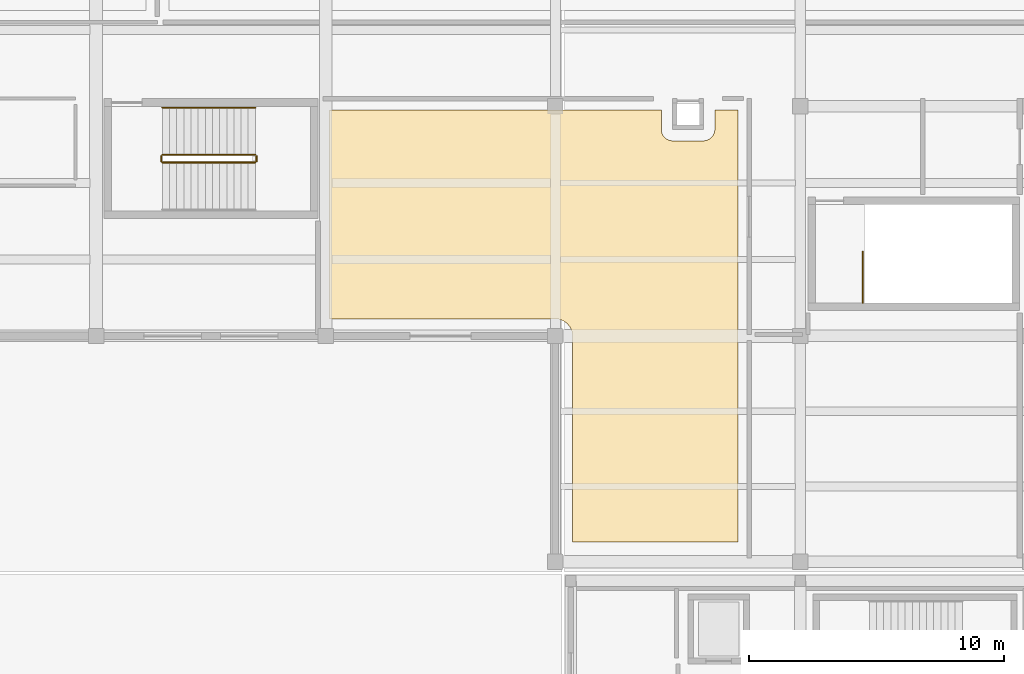
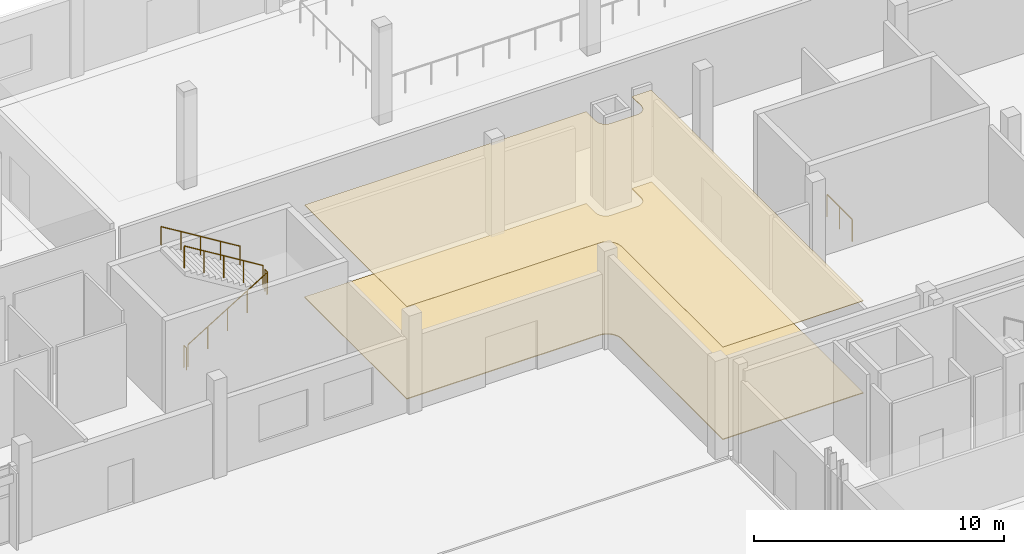
# One storey, part 145 of 151: 6 railings, 2 coverings.
"""IFC4 building model written with IfcOpenShell, lengths in metres."""

from ifc_helpers import new_model, si_unit, direction, frame, origin, origin_2d, place, context, subcontext, project, spatial, polyline, circle, outline, extrude, material, layer, layer_set, type_object, element, save


model = new_model("IFC4")

# Units and contexts
model_context = context("Model", 3, precision=1e-05, world=origin(), true_north=direction((0.0, 1.0)))
body_context = subcontext(model_context, "Body", "Model", "MODEL_VIEW")
ifc_project = project(units=[si_unit("LENGTHUNIT", "METRE"), si_unit("AREAUNIT", "SQUARE_METRE"), si_unit("VOLUMEUNIT", "CUBIC_METRE"), si_unit("PLANEANGLEUNIT", "RADIAN"), si_unit("MASSUNIT", "GRAM", prefix="KILO")], contexts=[model_context])

# Site, building, storey
site_placement = place(None, origin())
site = spatial("IfcSite", under=ifc_project, at=site_placement, CompositionType="ELEMENT")
building_placement = place(site_placement, origin())
building = spatial("IfcBuilding", under=site, at=building_placement, Name="Chiffa Square Polytechnic", CompositionType="ELEMENT")
storey_placement = place(building_placement, origin())
storey = spatial("IfcBuildingStorey", under=building, at=storey_placement, Name="L00", CompositionType="ELEMENT", Elevation=0.0)

# Coverings
ifc_material_1 = material(Name="Perforated gypsum acoustic board")
ifc_layer_1 = layer(ifc_material_1, 0.02490234375, Name="Perforated gypsum acoustic board")
ifc_layer_set_1 = layer_set([ifc_layer_1], Name="Perforated gypsum acoustic board")
covering_type_1 = type_object("IfcCoveringType", Name="COV-CEIL-GYP", PredefinedType="CEILING", material=ifc_layer_set_1)
covering_1_placement = place(storey_placement, frame((0.0, 0.0, 4.4970703125)))
element("IfcCovering", 1, at=covering_1_placement, inside=storey, type_object=covering_type_1, Name="Suspended acoustic ceiling CL-V5-L00-017", PredefinedType="CEILING", context=body_context, shape_type="SweptSolid", body=[
    extrude(outline(polyline([(102.75, 112.64990234375), (115.75, 112.64990234375), (115.75, 111.89990234375), (115.751953125, 111.85595703125), (115.759033203125, 111.81201171875), (115.76904296875, 111.76904296875), (115.783935546875, 111.72802734375), (115.802978515625, 111.68798828125), (115.825927734375, 111.64990234375), (115.85205078125, 111.614990234375), (115.882080078125, 111.58203125), (115.9150390625, 111.552001953125), (115.949951171875, 111.52587890625), (115.988037109375, 111.5029296875), (116.028076171875, 111.48388671875), (116.069091796875, 111.468994140625), (116.112060546875, 111.458984375), (116.156005859375, 111.451904296875), (116.199951171875, 111.449951171875), (117.39990234375, 111.449951171875), (117.444091796875, 111.451904296875), (117.488037109375, 111.458984375), (117.531005859375, 111.468994140625), (117.572021484375, 111.48388671875), (117.612060546875, 111.5029296875), (117.64990234375, 111.52587890625), (117.68505859375, 111.552001953125), (117.718017578125, 111.58203125), (117.748046875, 111.614990234375), (117.77392578125, 111.64990234375), (117.797119140625, 111.68798828125), (117.81591796875, 111.72802734375), (117.8310546875, 111.76904296875), (117.841064453125, 111.81201171875), (117.847900390625, 111.85595703125), (117.85009765625, 111.89990234375), (117.85009765625, 112.64990234375), (118.75, 112.64990234375), (118.75, 95.719970703125), (112.27001953125, 95.719970703125), (112.27001953125, 103.800048828125), (112.26904296875, 103.822021484375), (112.26806640625, 103.843994140625), (112.263916015625, 103.887939453125), (112.260986328125, 103.908935546875), (112.251953125, 103.951904296875), (112.2470703125, 103.972900390625), (112.23388671875, 104.014892578125), (112.22705078125, 104.035888671875), (112.2099609375, 104.076904296875), (112.200927734375, 104.095947265625), (112.179931640625, 104.135009765625), (112.1689453125, 104.154052734375), (112.14404296875, 104.18994140625), (112.132080078125, 104.2080078125), (112.10302734375, 104.241943359375), (112.089111328125, 104.258056640625), (112.05810546875, 104.2890625), (112.0419921875, 104.302978515625), (112.008056640625, 104.33203125), (111.989990234375, 104.343994140625), (111.9541015625, 104.368896484375), (111.93505859375, 104.3798828125), (111.89599609375, 104.40087890625), (111.876953125, 104.409912109375), (111.8359375, 104.427001953125), (111.81494140625, 104.43408203125), (111.77294921875, 104.447021484375), (111.751953125, 104.451904296875), (111.708984375, 104.4609375), (111.68798828125, 104.464111328125), (111.64404296875, 104.468017578125), (111.6220703125, 104.468994140625), (111.60009765625, 104.469970703125), (102.75, 104.469970703125), (102.75, 112.64990234375)])), origin(), (0.0, 0.0, 1.0), 0.02490234375),
])
ifc_material_2 = material(Name="Polished cementitious terrazzo")
ifc_layer_2 = layer(ifc_material_2, 0.0400390625, Name="Polished cementitious terrazzo")
ifc_layer_set_2 = layer_set([ifc_layer_2], Name="Polished cementitious terrazzo")
covering_type_2 = type_object("IfcCoveringType", Name="COV-FLR-TERRAZZO", PredefinedType="FLOORING", material=ifc_layer_set_2)
covering_2_placement = place(storey_placement, origin())
element("IfcCovering", 2, at=covering_2_placement, inside=storey, type_object=covering_type_2, Name="Polished terrazzo floor finish FL-V5-L00-016", PredefinedType="FLOORING", context=body_context, shape_type="SweptSolid", body=[
    extrude(outline(polyline([(102.75, 112.64990234375), (115.75, 112.64990234375), (115.75, 111.89990234375), (115.751953125, 111.85595703125), (115.759033203125, 111.81201171875), (115.76904296875, 111.76904296875), (115.783935546875, 111.72802734375), (115.802978515625, 111.68798828125), (115.825927734375, 111.64990234375), (115.85205078125, 111.614990234375), (115.882080078125, 111.58203125), (115.9150390625, 111.552001953125), (115.949951171875, 111.52587890625), (115.988037109375, 111.5029296875), (116.028076171875, 111.48388671875), (116.069091796875, 111.468994140625), (116.112060546875, 111.458984375), (116.156005859375, 111.451904296875), (116.199951171875, 111.449951171875), (117.39990234375, 111.449951171875), (117.444091796875, 111.451904296875), (117.488037109375, 111.458984375), (117.531005859375, 111.468994140625), (117.572021484375, 111.48388671875), (117.612060546875, 111.5029296875), (117.64990234375, 111.52587890625), (117.68505859375, 111.552001953125), (117.718017578125, 111.58203125), (117.748046875, 111.614990234375), (117.77392578125, 111.64990234375), (117.797119140625, 111.68798828125), (117.81591796875, 111.72802734375), (117.8310546875, 111.76904296875), (117.841064453125, 111.81201171875), (117.847900390625, 111.85595703125), (117.85009765625, 111.89990234375), (117.85009765625, 112.64990234375), (118.75, 112.64990234375), (118.75, 95.719970703125), (112.27001953125, 95.719970703125), (112.27001953125, 103.800048828125), (112.26904296875, 103.822021484375), (112.26806640625, 103.843994140625), (112.263916015625, 103.887939453125), (112.260986328125, 103.908935546875), (112.251953125, 103.951904296875), (112.2470703125, 103.972900390625), (112.23388671875, 104.014892578125), (112.22705078125, 104.035888671875), (112.2099609375, 104.076904296875), (112.200927734375, 104.095947265625), (112.179931640625, 104.135009765625), (112.1689453125, 104.154052734375), (112.14404296875, 104.18994140625), (112.132080078125, 104.2080078125), (112.10302734375, 104.241943359375), (112.089111328125, 104.258056640625), (112.05810546875, 104.2890625), (112.0419921875, 104.302978515625), (112.008056640625, 104.33203125), (111.989990234375, 104.343994140625), (111.9541015625, 104.368896484375), (111.93505859375, 104.3798828125), (111.89599609375, 104.40087890625), (111.876953125, 104.409912109375), (111.8359375, 104.427001953125), (111.81494140625, 104.43408203125), (111.77294921875, 104.447021484375), (111.751953125, 104.451904296875), (111.708984375, 104.4609375), (111.68798828125, 104.464111328125), (111.64404296875, 104.468017578125), (111.6220703125, 104.468994140625), (111.60009765625, 104.469970703125), (102.75, 104.469970703125), (102.75, 112.64990234375)])), origin(), (0.0, 0.0, 1.0), 0.0400390625),
])

# Railings
ifc_material_3 = material(Name="Steel S355", Category="steel")
ifc_layer_3 = layer(ifc_material_3, 0.050048828125, Name="Steel S355")
ifc_layer_set_3 = layer_set([ifc_layer_3], Name="Steel S355")
railing_type_1 = type_object("IfcRailingType", Name="RL-STAIR-GUARD", PredefinedType="GUARDRAIL", material=ifc_layer_set_3)
railing_1_placement = place(storey_placement, frame((96.199951171875, 110.60009765625, 0.17138671875)))
element("IfcRailing", 3, at=railing_1_placement, inside=storey, type_object=railing_type_1, Name="L00 ST-V5B stair guard 1", PredefinedType="GUARDRAIL", context=body_context, shape_type="SweptSolid", body=[
    extrude(circle(Radius=0.02392578125, at=origin_2d()), frame((0.0, 0.0, 1.076171875), z_axis=(0.852865859571, 0.0, 0.52213008492), x_axis=(0.0, 1.0, 0.0)), (0.0, 0.0, 1.0), 4.26806640625),
    extrude(circle(Radius=0.02099609375, at=origin_2d()), origin(), (0.0, 0.0, 1.0), 1.052001953125),
    extrude(circle(Radius=0.02099609375, at=origin_2d()), frame((0.91015625, 0.0, 0.55712890625)), (0.0, 0.0, 1.0), 1.052001953125),
    extrude(circle(Radius=0.02099609375, at=origin_2d()), frame((1.820068359375, 0.0, 1.1142578125)), (0.0, 0.0, 1.0), 1.052001953125),
    extrude(circle(Radius=0.02099609375, at=origin_2d()), frame((2.72998046875, 0.0, 1.67138671875)), (0.0, 0.0, 1.0), 1.052001953125),
    extrude(circle(Radius=0.02099609375, at=origin_2d()), frame((3.64013671875, 0.0, 2.228515625)), (0.0, 0.0, 1.0), 1.052001953125),
])
railing_2_placement = place(storey_placement, frame((99.889892578125, 110.64990234375, 2.39990234375)))
element("IfcRailing", 4, at=railing_2_placement, inside=storey, type_object=railing_type_1, Name="L00 ST-V5B stair guard 2", PredefinedType="GUARDRAIL", context=body_context, shape_type="SweptSolid", body=[
    extrude(circle(Radius=0.02392578125, at=origin_2d()), frame((0.0, 0.0, 1.076171875), z_axis=(0.0, 1.0, 0.0), x_axis=(-1.0, 0.0, 0.0)), (0.0, 0.0, 1.0), 0.2001953125),
    extrude(circle(Radius=0.02099609375, at=origin_2d()), origin(), (0.0, 0.0, 1.0), 1.052001953125),
    extrude(circle(Radius=0.02099609375, at=origin_2d()), frame((0.0, 0.2001953125, 0.0)), (0.0, 0.0, 1.0), 1.052001953125),
])
railing_3_placement = place(storey_placement, frame((99.840087890625, 110.89990234375, 2.571533203125)))
element("IfcRailing", 5, at=railing_3_placement, inside=storey, type_object=railing_type_1, Name="L00 ST-V5B stair guard 3", PredefinedType="GUARDRAIL", context=body_context, shape_type="SweptSolid", body=[
    extrude(circle(Radius=0.02392578125, at=origin_2d()), frame((0.0, 0.0, 1.076171875), z_axis=(-0.852865859571, 0.0, 0.52213008492), x_axis=(0.0, -1.0, 0.0)), (0.0, 0.0, 1.0), 4.26806640625),
    extrude(circle(Radius=0.02099609375, at=origin_2d()), origin(), (0.0, 0.0, 1.0), 1.052001953125),
    extrude(circle(Radius=0.02099609375, at=origin_2d()), frame((-0.91015625, 0.0, 0.55712890625)), (0.0, 0.0, 1.0), 1.052001953125),
    extrude(circle(Radius=0.02099609375, at=origin_2d()), frame((-1.820068359375, 0.0, 1.1142578125)), (0.0, 0.0, 1.0), 1.052001953125),
    extrude(circle(Radius=0.02099609375, at=origin_2d()), frame((-2.72998046875, 0.0, 1.67138671875)), (0.0, 0.0, 1.0), 1.052001953125),
    extrude(circle(Radius=0.02099609375, at=origin_2d()), frame((-3.64013671875, 0.0, 2.228515625)), (0.0, 0.0, 1.0), 1.052001953125),
])
railing_4_placement = place(storey_placement, frame((96.14990234375, 110.64990234375, 0.0)))
element("IfcRailing", 6, at=railing_4_placement, inside=storey, type_object=railing_type_1, Name="L00 ST-V5B stair guard 4", PredefinedType="GUARDRAIL", context=body_context, shape_type="SweptSolid", body=[
    extrude(circle(Radius=0.02392578125, at=origin_2d()), frame((0.0, 0.0, 1.076171875), z_axis=(0.0, 1.0, 0.0), x_axis=(-1.0, 0.0, 0.0)), (0.0, 0.0, 1.0), 0.2001953125),
    extrude(circle(Radius=0.02099609375, at=origin_2d()), origin(), (0.0, 0.0, 1.0), 1.052001953125),
    extrude(circle(Radius=0.02099609375, at=origin_2d()), frame((0.0, 0.2001953125, 0.0)), (0.0, 0.0, 1.0), 1.052001953125),
])
railing_5_placement = place(storey_placement, frame((123.64990234375, 105.10009765625, 0.0)))
element("IfcRailing", 7, at=railing_5_placement, inside=storey, type_object=railing_type_1, Name="L00 ST-B1E top well guard 1", PredefinedType="GUARDRAIL", context=body_context, shape_type="SweptSolid", body=[
    extrude(circle(Radius=0.02392578125, at=origin_2d()), frame((0.0, 0.0, 1.076171875), z_axis=(0.0, 1.0, 0.0), x_axis=(-1.0, 0.0, 0.0)), (0.0, 0.0, 1.0), 2.0),
    extrude(circle(Radius=0.02099609375, at=origin_2d()), origin(), (0.0, 0.0, 1.0), 1.052001953125),
    extrude(circle(Radius=0.02099609375, at=origin_2d()), frame((0.0, 1.0, 0.0)), (0.0, 0.0, 1.0), 1.052001953125),
    extrude(circle(Radius=0.02099609375, at=origin_2d()), frame((0.0, 2.0, 0.0)), (0.0, 0.0, 1.0), 1.052001953125),
])
ifc_layer_4 = layer(ifc_material_3, 0.044921875, Name="Steel S355")
ifc_layer_set_4 = layer_set([ifc_layer_4], Name="Steel S355")
railing_type_2 = type_object("IfcRailingType", Name="RL-STAIR-HAND", PredefinedType="HANDRAIL", material=ifc_layer_set_4)
railing_6_placement = place(storey_placement, frame((99.840087890625, 112.75, 2.571533203125)))
element("IfcRailing", 8, at=railing_6_placement, inside=storey, type_object=railing_type_2, Name="L00 ST-V5B stair handrail 2", PredefinedType="HANDRAIL", context=body_context, shape_type="SweptSolid", body=[
    extrude(circle(Radius=0.02392578125, at=origin_2d()), frame((0.0, 0.0, 0.89599609375), z_axis=(-0.852865859571, 0.0, 0.52213008492), x_axis=(0.0, -1.0, 0.0)), (0.0, 0.0, 1.0), 4.26806640625),
    extrude(circle(Radius=0.02099609375, at=origin_2d()), origin(), (0.0, 0.0, 1.0), 0.871826171875),
    extrude(circle(Radius=0.02099609375, at=origin_2d()), frame((-0.91015625, 0.0, 0.55712890625)), (0.0, 0.0, 1.0), 0.871826171875),
    extrude(circle(Radius=0.02099609375, at=origin_2d()), frame((-1.820068359375, 0.0, 1.1142578125)), (0.0, 0.0, 1.0), 0.871826171875),
    extrude(circle(Radius=0.02099609375, at=origin_2d()), frame((-2.72998046875, 0.0, 1.67138671875)), (0.0, 0.0, 1.0), 0.871826171875),
    extrude(circle(Radius=0.02099609375, at=origin_2d()), frame((-3.64013671875, 0.0, 2.228515625)), (0.0, 0.0, 1.0), 0.871826171875),
])

save(model, "model.ifc")
